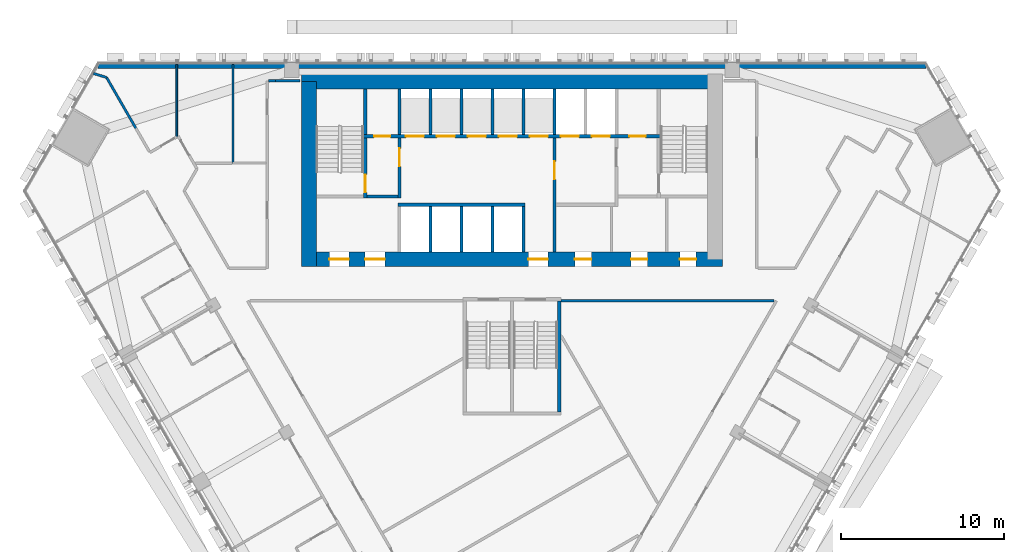
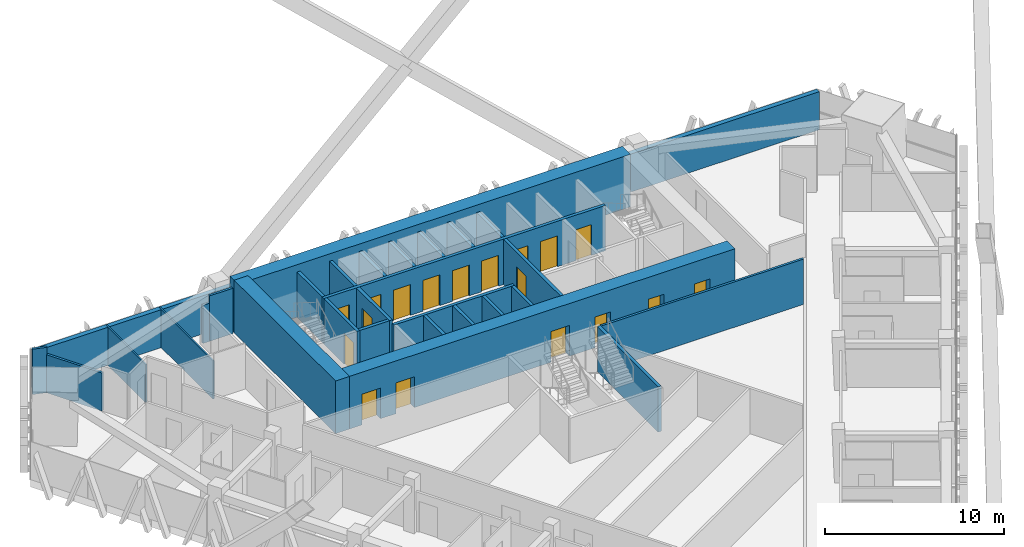
# One storey, part 14 of 19: 29 walls, 18 doors, 18 openings.
"""IFC4 building model written with IfcOpenShell, lengths in metres."""

from ifc_helpers import new_model, si_unit, direction, frame, frame_2d, origin, place, context, subcontext, project, spatial, rectangle, extrude, material, layer, layer_set, type_object, element, fill, save


model = new_model("IFC4")

# Units and contexts
model_context = context("Model", 3, precision=1e-05, world=origin(), true_north=direction((0.0, 1.0)))
body_context = subcontext(model_context, "Body", "Model", "MODEL_VIEW")
ifc_project = project(units=[si_unit("LENGTHUNIT", "METRE"), si_unit("AREAUNIT", "SQUARE_METRE"), si_unit("VOLUMEUNIT", "CUBIC_METRE"), si_unit("PLANEANGLEUNIT", "RADIAN"), si_unit("MASSUNIT", "GRAM", prefix="KILO")], contexts=[model_context])

# Site, building, storey
site_placement = place(None, origin())
site = spatial("IfcSite", under=ifc_project, at=site_placement, CompositionType="ELEMENT")
building_placement = place(site_placement, origin())
building = spatial("IfcBuilding", under=site, at=building_placement, Name="Altiplano Prism Tower", CompositionType="ELEMENT")
storey_placement = place(building_placement, frame((0.0, 0.0, 70.199951171875)))
storey = spatial("IfcBuildingStorey", under=building, at=storey_placement, Name="L17", CompositionType="ELEMENT", Elevation=70.199951171875)

# Wall, openings, doors
ifc_material_1 = material(Name="Concrete C70/85", Category="concrete")
ifc_layer_1 = layer(ifc_material_1, 0.89990234375)
ifc_layer_set_1 = layer_set([ifc_layer_1], Name="Concrete C70/85")
wall_type_1 = type_object("IfcWallType", Name="Core wall 900", PredefinedType="SHEAR", material=ifc_layer_set_1)
wall_1_placement = place(storey_placement, frame((72.550048828125, 92.949951171875, 0.0), z_axis=(0.0, 0.0, 1.0), x_axis=(1.0, 0.0, 0.0)))
wall_1 = element("IfcWall", 1, at=wall_1_placement, inside=storey, type_object=wall_type_1, Name="Core wall S L17", PredefinedType="SHEAR", context=body_context, shape_type="SweptSolid", body=[
    extrude(rectangle(XDim=25.349853515625, YDim=0.89990234375, at=frame_2d((12.6748046875, 0.0))), origin(), (0.0, 0.0, 1.0), 3.60009765625),
])
opening_1_placement = place(wall_1_placement, frame((1.25, 0.0, 0.0)))
opening_1 = element("IfcOpeningElement", 2, at=opening_1_placement, cuts=wall_1, Name="Opening D2819", PredefinedType="OPENING", context=body_context, shape_type="SweptSolid", body=[
    extrude(rectangle(XDim=1.199951171875, YDim=2.10009765625, at=frame_2d((0.60009765625, 1.050048828125))), frame((0.0, 0.46044921875, 0.0), z_axis=(0.0, -1.0, 0.0), x_axis=(1.0, 0.0, 0.0)), (0.0, 0.0, 1.0), 0.9208984375),
])
opening_2_placement = place(wall_1_placement, frame((3.449951171875, 0.0, 0.0)))
opening_2 = element("IfcOpeningElement", 3, at=opening_2_placement, cuts=wall_1, Name="Opening D2820", PredefinedType="OPENING", context=body_context, shape_type="SweptSolid", body=[
    extrude(rectangle(XDim=1.199951171875, YDim=2.10009765625, at=frame_2d((0.60009765625, 1.050048828125))), frame((0.0, 0.46044921875, 0.0), z_axis=(0.0, -1.0, 0.0), x_axis=(1.0, 0.0, 0.0)), (0.0, 0.0, 1.0), 0.9208984375),
])
opening_3_placement = place(wall_1_placement, frame((13.449951171875, 0.0, 0.0)))
opening_3 = element("IfcOpeningElement", 4, at=opening_3_placement, cuts=wall_1, Name="Opening D2821", PredefinedType="OPENING", context=body_context, shape_type="SweptSolid", body=[
    extrude(rectangle(XDim=1.199951171875, YDim=2.10009765625, at=frame_2d((0.60009765625, 1.050048828125))), frame((0.0, 0.46044921875, 0.0), z_axis=(0.0, -1.0, 0.0), x_axis=(1.0, 0.0, 0.0)), (0.0, 0.0, 1.0), 0.9208984375),
])
opening_4_placement = place(wall_1_placement, frame((16.3125, 0.0, 0.0)))
opening_4 = element("IfcOpeningElement", 5, at=opening_4_placement, cuts=wall_1, Name="Opening D2824", PredefinedType="OPENING", context=body_context, shape_type="SweptSolid", body=[
    extrude(rectangle(XDim=1.0, YDim=2.10009765625, at=frame_2d((0.5, 1.050048828125))), frame((0.0, 0.46044921875, 0.0), z_axis=(0.0, -1.0, 0.0), x_axis=(1.0, 0.0, 0.0)), (0.0, 0.0, 1.0), 0.9208984375),
])
opening_5_placement = place(wall_1_placement, frame((19.75, 0.0, 0.0)))
opening_5 = element("IfcOpeningElement", 6, at=opening_5_placement, cuts=wall_1, Name="Opening D2825", PredefinedType="OPENING", context=body_context, shape_type="SweptSolid", body=[
    extrude(rectangle(XDim=1.0, YDim=2.10009765625, at=frame_2d((0.5, 1.050048828125))), frame((0.0, 0.46044921875, 0.0), z_axis=(0.0, -1.0, 0.0), x_axis=(1.0, 0.0, 0.0)), (0.0, 0.0, 1.0), 0.9208984375),
])
opening_6_placement = place(wall_1_placement, frame((22.737548828125, 0.0, 0.0)))
opening_6 = element("IfcOpeningElement", 7, at=opening_6_placement, cuts=wall_1, Name="Opening D2826", PredefinedType="OPENING", context=body_context, shape_type="SweptSolid", body=[
    extrude(rectangle(XDim=1.0, YDim=2.10009765625, at=frame_2d((0.5, 1.050048828125))), frame((0.0, 0.46044921875, 0.0), z_axis=(0.0, -1.0, 0.0), x_axis=(1.0, 0.0, 0.0)), (0.0, 0.0, 1.0), 0.9208984375),
])
ifc_material_2 = material(Name="Fire-rated steel door", Category="steel")
door_type_1 = type_object("IfcDoorType", Name="Core room door 1000 x 2100", OperationType="NOTDEFINED", PredefinedType="NOTDEFINED", material=ifc_material_2)
door_1_placement = place(opening_4_placement, origin())
door_1 = element("IfcDoor", 8, at=door_1_placement, inside=storey, type_object=door_type_1, Name="Core room door D2824", OperationType="SINGLE_SWING_RIGHT", OverallHeight=2.10009765625, OverallWidth=1.0, PredefinedType="NOTDEFINED", context=body_context, shape_type="SweptSolid", body=[
    extrude(rectangle(XDim=1.0, YDim=2.10009765625, at=frame_2d((0.5, 1.050048828125))), frame((0.0, 0.02490234375, 0.0), z_axis=(0.0, -1.0, 0.0), x_axis=(1.0, 0.0, 0.0)), (0.0, 0.0, 1.0), 0.050048828125),
])
fill(opening_4, door_1)
door_2_placement = place(opening_5_placement, origin())
door_2 = element("IfcDoor", 9, at=door_2_placement, inside=storey, type_object=door_type_1, Name="Core room door D2825", OperationType="SINGLE_SWING_LEFT", OverallHeight=2.10009765625, OverallWidth=1.0, PredefinedType="NOTDEFINED", context=body_context, shape_type="SweptSolid", body=[
    extrude(rectangle(XDim=1.0, YDim=2.10009765625, at=frame_2d((0.5, 1.050048828125))), frame((0.0, 0.02490234375, 0.0), z_axis=(0.0, -1.0, 0.0), x_axis=(1.0, 0.0, 0.0)), (0.0, 0.0, 1.0), 0.050048828125),
])
fill(opening_5, door_2)
door_3_placement = place(opening_6_placement, origin())
door_3 = element("IfcDoor", 10, at=door_3_placement, inside=storey, type_object=door_type_1, Name="Core room door D2826", OperationType="SINGLE_SWING_RIGHT", OverallHeight=2.10009765625, OverallWidth=1.0, PredefinedType="NOTDEFINED", context=body_context, shape_type="SweptSolid", body=[
    extrude(rectangle(XDim=1.0, YDim=2.10009765625, at=frame_2d((0.5, 1.050048828125))), frame((0.0, 0.02490234375, 0.0), z_axis=(0.0, -1.0, 0.0), x_axis=(1.0, 0.0, 0.0)), (0.0, 0.0, 1.0), 0.050048828125),
])
fill(opening_6, door_3)
door_type_2 = type_object("IfcDoorType", Name="Lobby fire door 1200 x 2100", OperationType="NOTDEFINED", PredefinedType="NOTDEFINED", material=ifc_material_2)
door_4_placement = place(opening_1_placement, origin())
door_4 = element("IfcDoor", 11, at=door_4_placement, inside=storey, type_object=door_type_2, Name="Lobby fire door D2819", OperationType="SINGLE_SWING_RIGHT", OverallHeight=2.10009765625, OverallWidth=1.199951171875, PredefinedType="NOTDEFINED", context=body_context, shape_type="SweptSolid", body=[
    extrude(rectangle(XDim=1.199951171875, YDim=2.10009765625, at=frame_2d((0.60009765625, 1.050048828125))), frame((0.0, 0.02490234375, 0.0), z_axis=(0.0, -1.0, 0.0), x_axis=(1.0, 0.0, 0.0)), (0.0, 0.0, 1.0), 0.050048828125),
])
fill(opening_1, door_4)
door_5_placement = place(opening_2_placement, origin())
door_5 = element("IfcDoor", 12, at=door_5_placement, inside=storey, type_object=door_type_2, Name="Lobby fire door D2820", OperationType="SINGLE_SWING_LEFT", OverallHeight=2.10009765625, OverallWidth=1.199951171875, PredefinedType="NOTDEFINED", context=body_context, shape_type="SweptSolid", body=[
    extrude(rectangle(XDim=1.199951171875, YDim=2.10009765625, at=frame_2d((0.60009765625, 1.050048828125))), frame((0.0, 0.02490234375, 0.0), z_axis=(0.0, -1.0, 0.0), x_axis=(1.0, 0.0, 0.0)), (0.0, 0.0, 1.0), 0.050048828125),
])
fill(opening_2, door_5)
door_6_placement = place(opening_3_placement, origin())
door_6 = element("IfcDoor", 13, at=door_6_placement, inside=storey, type_object=door_type_2, Name="Lobby fire door D2821", OperationType="SINGLE_SWING_RIGHT", OverallHeight=2.10009765625, OverallWidth=1.199951171875, PredefinedType="NOTDEFINED", context=body_context, shape_type="SweptSolid", body=[
    extrude(rectangle(XDim=1.199951171875, YDim=2.10009765625, at=frame_2d((0.60009765625, 1.050048828125))), frame((0.0, 0.02490234375, 0.0), z_axis=(0.0, -1.0, 0.0), x_axis=(1.0, 0.0, 0.0)), (0.0, 0.0, 1.0), 0.050048828125),
])
fill(opening_3, door_6)

# Walls
wall_2_placement = place(storey_placement, frame((97.449951171875, 103.85009765625, 0.0), z_axis=(0.0, 0.0, 1.0), x_axis=(-1.0, 0.0, 0.0)))
element("IfcWall", 14, at=wall_2_placement, inside=storey, type_object=wall_type_1, Name="Core wall N L17", PredefinedType="SHEAR", context=body_context, shape_type="SweptSolid", body=[
    extrude(rectangle(XDim=25.349853515625, YDim=0.89990234375, at=frame_2d((12.6748046875, 0.0))), origin(), (0.0, 0.0, 1.0), 3.60009765625),
])
wall_3_placement = place(storey_placement, frame((72.550048828125, 103.85009765625, 0.0), z_axis=(0.0, 0.0, 1.0), x_axis=(0.0, -1.0, 0.0)))
element("IfcWall", 15, at=wall_3_placement, inside=storey, type_object=wall_type_1, Name="Core wall W L17", PredefinedType="SHEAR", context=body_context, shape_type="SweptSolid", body=[
    extrude(rectangle(XDim=11.35009765625, YDim=0.89990234375, at=frame_2d((5.675048828125, 0.0))), origin(), (0.0, 0.0, 1.0), 3.60009765625),
])
ifc_material_3 = material(Name="Plasterboard on steel stud", Category="steel")
ifc_layer_2 = layer(ifc_material_3, 0.10009765625)
ifc_layer_set_2 = layer_set([ifc_layer_2], Name="Plasterboard on steel stud")
wall_type_2 = type_object("IfcWallType", Name="Partition 100 wet", PredefinedType="PARTITIONING", material=ifc_layer_set_2)
wall_4_placement = place(storey_placement, frame((67.892578125, 104.89990234375, 0.0), z_axis=(0.0, 0.0, 1.0), x_axis=(0.0, -1.0, 0.0)))
element("IfcWall", 16, at=wall_4_placement, inside=storey, type_object=wall_type_2, Name="Partition P03 L17 031", PredefinedType="PARTITIONING", context=body_context, shape_type="SweptSolid", body=[
    extrude(rectangle(XDim=6.04443359375, YDim=0.10009765625, at=frame_2d((3.022216796875, 0.0))), origin(), (0.0, 0.0, 1.0), 2.60009765625),
])
wall_5_placement = place(storey_placement, frame((64.446533203125, 100.45263671875, 0.0), z_axis=(0.0, 0.0, 1.0), x_axis=(0.0, 1.0, 0.0)))
element("IfcWall", 17, at=wall_5_placement, inside=storey, type_object=wall_type_2, Name="Partition P03 L17 033", PredefinedType="PARTITIONING", context=body_context, shape_type="SweptSolid", body=[
    extrude(rectangle(XDim=4.447265625, YDim=0.10009765625, at=frame_2d((2.2236328125, 0.0))), origin(), (0.0, 0.0, 1.0), 2.60009765625),
])
ifc_layer_3 = layer(ifc_material_3, 0.14990234375)
ifc_layer_set_3 = layer_set([ifc_layer_3], Name="Plasterboard on steel stud")
wall_type_3 = type_object("IfcWallType", Name="Partition 150 corridor", PredefinedType="PARTITIONING", material=ifc_layer_set_3)
wall_6_placement = place(storey_placement, frame((72.0, 103.89990234375, 0.0), z_axis=(0.0, 0.0, 1.0), x_axis=(-1.0, 0.0, 0.0)))
element("IfcWall", 18, at=wall_6_placement, inside=storey, type_object=wall_type_3, Name="Partition P06 L17 001", PredefinedType="PARTITIONING", context=body_context, shape_type="SweptSolid", body=[
    extrude(rectangle(XDim=1.490966796875, YDim=0.14990234375, at=frame_2d((0.74560546875, 0.0))), origin(), (0.0, 0.0, 1.0), 3.10009765625),
])
wall_7_placement = place(storey_placement, frame((70.509033203125, 103.89990234375, 0.0), z_axis=(0.0, 0.0, 1.0), x_axis=(-1.0, 0.0, 0.0)))
element("IfcWall", 19, at=wall_7_placement, inside=storey, type_object=wall_type_3, Name="Partition P06 L17 002", PredefinedType="PARTITIONING", context=body_context, shape_type="SweptSolid", body=[
    extrude(rectangle(XDim=0.43408203125, YDim=0.14990234375, at=frame_2d((0.217041015625, 0.0))), origin(), (0.0, 0.0, 1.0), 2.60009765625),
])
wall_8_placement = place(storey_placement, frame((88.0, 90.39990234375, 0.0), z_axis=(0.0, 0.0, 1.0), x_axis=(1.0, 0.0, 0.0)))
element("IfcWall", 20, at=wall_8_placement, inside=storey, type_object=wall_type_3, Name="Partition P06 L17 014", PredefinedType="PARTITIONING", context=body_context, shape_type="SweptSolid", body=[
    extrude(rectangle(XDim=13.0791015625, YDim=0.14990234375, at=frame_2d((6.53955078125, 0.0))), origin(), (0.0, 0.0, 1.0), 3.10009765625),
])
wall_9_placement = place(storey_placement, frame((59.338623046875, 104.34912109375, 0.0), z_axis=(0.0, 0.0, 1.0), x_axis=(0.955225394117, -0.295879107804, 0.0)))
element("IfcWall", 21, at=wall_9_placement, inside=storey, type_object=wall_type_3, Name="Partition P06 L17 034", PredefinedType="PARTITIONING", context=body_context, shape_type="SweptSolid", body=[
    extrude(rectangle(XDim=0.841552734375, YDim=0.14990234375, at=frame_2d((0.4208984375, 0.0))), origin(), (0.0, 0.0, 1.0), 3.10009765625),
])
wall_10_placement = place(storey_placement, frame((60.142578125, 104.10009765625, 0.0), z_axis=(0.0, 0.0, 1.0), x_axis=(0.499999409447, -0.86602574474, 0.0)))
element("IfcWall", 22, at=wall_10_placement, inside=storey, type_object=wall_type_3, Name="Partition P06 L17 035", PredefinedType="PARTITIONING", context=body_context, shape_type="SweptSolid", body=[
    extrude(rectangle(XDim=3.61181640625, YDim=0.14990234375, at=frame_2d((1.805908203125, 0.0))), origin(), (0.0, 0.0, 1.0), 2.60009765625),
])
ifc_material_4 = material(Name="Concrete C60/75", Category="concrete")
ifc_layer_4 = layer(ifc_material_4, 0.199951171875)
ifc_layer_set_4 = layer_set([ifc_layer_4], Name="Concrete C60/75")
wall_type_4 = type_object("IfcWallType", Name="Shaft wall 200", PredefinedType="SOLIDWALL", material=ifc_layer_set_4)
for number, where, z_axis, x_axis, name in (
    (23, (80.0, 93.39990234375, 0.0), (0.0, 0.0, 1.0), (0.0, 1.0, 0.0), "Shaft wall L17"),
    (24, (81.89990234375, 93.39990234375, 0.0), (0.0, 0.0, 1.0), (0.0, 1.0, 0.0), "Shaft wall L17"),
    (25, (83.800048828125, 93.39990234375, 0.0), (0.0, 0.0, 1.0), (0.0, 1.0, 0.0), "Shaft wall L17"),
    (26, (85.699951171875, 93.39990234375, 0.0), (0.0, 0.0, 1.0), (0.0, 1.0, 0.0), "Shaft wall L17"),
):
    element("IfcWall", number, at=place(storey_placement, frame(where, z_axis=z_axis, x_axis=x_axis)), inside=storey, type_object=wall_type_4, Name=name, PredefinedType="SOLIDWALL", context=body_context, shape_type="SweptSolid", body=[
        extrude(rectangle(XDim=2.800048828125, YDim=0.199951171875, at=frame_2d((1.39990234375, 0.0))), origin(), (0.0, 0.0, 1.0), 3.10009765625),
    ])
wall_11_placement = place(storey_placement, frame((78.0, 96.300048828125, 0.0), z_axis=(0.0, 0.0, 1.0), x_axis=(1.0, 0.0, 0.0)))
element("IfcWall", 27, at=wall_11_placement, inside=storey, type_object=wall_type_4, Name="Shaft wall L17", PredefinedType="SOLIDWALL", context=body_context, shape_type="SweptSolid", body=[
    extrude(rectangle(XDim=7.800048828125, YDim=0.199951171875, at=frame_2d((3.89990234375, 0.0))), origin(), (0.0, 0.0, 1.0), 3.10009765625),
])
for number, where, z_axis, x_axis, name in (
    (28, (78.10009765625, 100.60009765625, 0.0), (0.0, 0.0, 1.0), (0.0, 1.0, 0.0), "Shaft wall L17"),
    (29, (80.0, 100.60009765625, 0.0), (0.0, 0.0, 1.0), (0.0, 1.0, 0.0), "Shaft wall L17"),
    (30, (81.89990234375, 100.60009765625, 0.0), (0.0, 0.0, 1.0), (0.0, 1.0, 0.0), "Shaft wall L17"),
    (31, (83.800048828125, 100.60009765625, 0.0), (0.0, 0.0, 1.0), (0.0, 1.0, 0.0), "Shaft wall L17"),
    (32, (85.699951171875, 100.60009765625, 0.0), (0.0, 0.0, 1.0), (0.0, 1.0, 0.0), "Shaft wall L17"),
    (33, (87.60009765625, 100.60009765625, 0.0), (0.0, 0.0, 1.0), (0.0, 1.0, 0.0), "Shaft wall L17"),
):
    element("IfcWall", number, at=place(storey_placement, frame(where, z_axis=z_axis, x_axis=x_axis)), inside=storey, type_object=wall_type_4, Name=name, PredefinedType="SOLIDWALL", context=body_context, shape_type="SweptSolid", body=[
        extrude(rectangle(XDim=2.7998046875, YDim=0.199951171875, at=frame_2d((1.39990234375, 0.0))), origin(), (0.0, 0.0, 1.0), 3.10009765625),
    ])

# Wall, opening, door
ifc_layer_5 = layer(ifc_material_4, 0.199951171875)
ifc_layer_set_5 = layer_set([ifc_layer_5], Name="Concrete C60/75")
wall_type_5 = type_object("IfcWallType", Name="Stair wall 200", PredefinedType="SOLIDWALL", material=ifc_layer_set_5)
wall_12_placement = place(storey_placement, frame((76.0, 96.699951171875, 0.0), z_axis=(0.0, 0.0, 1.0), x_axis=(0.0, 1.0, 0.0)))
wall_12 = element("IfcWall", 34, at=wall_12_placement, inside=storey, type_object=wall_type_5, Name="Stair wall L17", PredefinedType="SOLIDWALL", context=body_context, shape_type="SweptSolid", body=[
    extrude(rectangle(XDim=3.699951171875, YDim=0.199951171875, at=frame_2d((1.85009765625, 0.0))), origin(), (0.0, 0.0, 1.0), 3.10009765625),
])
opening_7_placement = place(wall_12_placement, frame((0.35009765625, 0.0, 0.0)))
opening_7 = element("IfcOpeningElement", 35, at=opening_7_placement, cuts=wall_12, Name="Opening D2814", PredefinedType="OPENING", context=body_context, shape_type="SweptSolid", body=[
    extrude(rectangle(XDim=1.10009765625, YDim=2.10009765625, at=frame_2d((0.550048828125, 1.050048828125))), frame((0.0, 0.1103515625, 0.0), z_axis=(0.0, -1.0, 0.0), x_axis=(1.0, 0.0, 0.0)), (0.0, 0.0, 1.0), 0.220947265625),
])
door_type_3 = type_object("IfcDoorType", Name="Stair fire door 1100 x 2100", OperationType="NOTDEFINED", PredefinedType="NOTDEFINED", material=ifc_material_2)
door_7_placement = place(opening_7_placement, origin())
door_7 = element("IfcDoor", 36, at=door_7_placement, inside=storey, type_object=door_type_3, Name="Stair fire door D2814", OperationType="SINGLE_SWING_RIGHT", OverallHeight=2.10009765625, OverallWidth=1.10009765625, PredefinedType="NOTDEFINED", context=body_context, shape_type="SweptSolid", body=[
    extrude(rectangle(XDim=1.10009765625, YDim=2.10009765625, at=frame_2d((0.550048828125, 1.050048828125))), frame((0.0, 0.02490234375, 0.0), z_axis=(0.0, -1.0, 0.0), x_axis=(1.0, 0.0, 0.0)), (0.0, 0.0, 1.0), 0.050048828125),
])
fill(opening_7, door_7)

# Wall, openings, doors
wall_13_placement = place(storey_placement, frame((75.89990234375, 100.5, 0.0), z_axis=(0.0, 0.0, 1.0), x_axis=(1.0, 0.0, 0.0)))
wall_13 = element("IfcWall", 37, at=wall_13_placement, inside=storey, type_object=wall_type_5, Name="Stair wall L17", PredefinedType="SOLIDWALL", context=body_context, shape_type="SweptSolid", body=[
    extrude(rectangle(XDim=18.2001953125, YDim=0.199951171875, at=frame_2d((9.10009765625, 0.0))), origin(), (0.0, 0.0, 1.0), 3.10009765625),
])
opening_8_placement = place(wall_13_placement, frame((2.60009765625, 0.0, 0.0)))
opening_8 = element("IfcOpeningElement", 38, at=opening_8_placement, cuts=wall_13, Name="Opening LD-LL1-L17", PredefinedType="OPENING", context=body_context, shape_type="SweptSolid", body=[
    extrude(rectangle(XDim=1.10009765625, YDim=2.10009765625, at=frame_2d((0.550048828125, 1.050048828125))), frame((0.0, 0.1103515625, 0.0), z_axis=(0.0, -1.0, 0.0), x_axis=(1.0, 0.0, 0.0)), (0.0, 0.0, 1.0), 0.220947265625),
])
opening_9_placement = place(wall_13_placement, frame((4.5, 0.0, 0.0)))
opening_9 = element("IfcOpeningElement", 39, at=opening_9_placement, cuts=wall_13, Name="Opening LD-LL2-L17", PredefinedType="OPENING", context=body_context, shape_type="SweptSolid", body=[
    extrude(rectangle(XDim=1.10009765625, YDim=2.10009765625, at=frame_2d((0.550048828125, 1.050048828125))), frame((0.0, 0.1103515625, 0.0), z_axis=(0.0, -1.0, 0.0), x_axis=(1.0, 0.0, 0.0)), (0.0, 0.0, 1.0), 0.220947265625),
])
opening_10_placement = place(wall_13_placement, frame((6.39990234375, 0.0, 0.0)))
opening_10 = element("IfcOpeningElement", 40, at=opening_10_placement, cuts=wall_13, Name="Opening LD-LL3-L17", PredefinedType="OPENING", context=body_context, shape_type="SweptSolid", body=[
    extrude(rectangle(XDim=1.10009765625, YDim=2.10009765625, at=frame_2d((0.550048828125, 1.050048828125))), frame((0.0, 0.1103515625, 0.0), z_axis=(0.0, -1.0, 0.0), x_axis=(1.0, 0.0, 0.0)), (0.0, 0.0, 1.0), 0.220947265625),
])
opening_11_placement = place(wall_13_placement, frame((8.300048828125, 0.0, 0.0)))
opening_11 = element("IfcOpeningElement", 41, at=opening_11_placement, cuts=wall_13, Name="Opening LD-LL4-L17", PredefinedType="OPENING", context=body_context, shape_type="SweptSolid", body=[
    extrude(rectangle(XDim=1.10009765625, YDim=2.10009765625, at=frame_2d((0.550048828125, 1.050048828125))), frame((0.0, 0.1103515625, 0.0), z_axis=(0.0, -1.0, 0.0), x_axis=(1.0, 0.0, 0.0)), (0.0, 0.0, 1.0), 0.220947265625),
])
opening_12_placement = place(wall_13_placement, frame((10.199951171875, 0.0, 0.0)))
opening_12 = element("IfcOpeningElement", 42, at=opening_12_placement, cuts=wall_13, Name="Opening LD-LL5-L17", PredefinedType="OPENING", context=body_context, shape_type="SweptSolid", body=[
    extrude(rectangle(XDim=1.10009765625, YDim=2.10009765625, at=frame_2d((0.550048828125, 1.050048828125))), frame((0.0, 0.1103515625, 0.0), z_axis=(0.0, -1.0, 0.0), x_axis=(1.0, 0.0, 0.0)), (0.0, 0.0, 1.0), 0.220947265625),
])
opening_13_placement = place(wall_13_placement, frame((12.10009765625, 0.0, 0.0)))
opening_13 = element("IfcOpeningElement", 43, at=opening_13_placement, cuts=wall_13, Name="Opening LD-FF1-L17", PredefinedType="OPENING", context=body_context, shape_type="SweptSolid", body=[
    extrude(rectangle(XDim=1.10009765625, YDim=2.10009765625, at=frame_2d((0.550048828125, 1.050048828125))), frame((0.0, 0.1103515625, 0.0), z_axis=(0.0, -1.0, 0.0), x_axis=(1.0, 0.0, 0.0)), (0.0, 0.0, 1.0), 0.220947265625),
])
opening_14_placement = place(wall_13_placement, frame((14.0, 0.0, 0.0)))
opening_14 = element("IfcOpeningElement", 44, at=opening_14_placement, cuts=wall_13, Name="Opening LD-FF2-L17", PredefinedType="OPENING", context=body_context, shape_type="SweptSolid", body=[
    extrude(rectangle(XDim=1.10009765625, YDim=2.10009765625, at=frame_2d((0.550048828125, 1.050048828125))), frame((0.0, 0.1103515625, 0.0), z_axis=(0.0, -1.0, 0.0), x_axis=(1.0, 0.0, 0.0)), (0.0, 0.0, 1.0), 0.220947265625),
])
opening_15_placement = place(wall_13_placement, frame((0.64990234375, 0.0, 0.0)))
opening_15 = element("IfcOpeningElement", 45, at=opening_15_placement, cuts=wall_13, Name="Opening D2822", PredefinedType="OPENING", context=body_context, shape_type="SweptSolid", body=[
    extrude(rectangle(XDim=1.0, YDim=2.10009765625, at=frame_2d((0.5, 1.050048828125))), frame((0.0, 0.1103515625, 0.0), z_axis=(0.0, -1.0, 0.0), x_axis=(1.0, 0.0, 0.0)), (0.0, 0.0, 1.0), 0.220947265625),
])
opening_16_placement = place(wall_13_placement, frame((16.300048828125, 0.0, 0.0)))
opening_16 = element("IfcOpeningElement", 46, at=opening_16_placement, cuts=wall_13, Name="Opening D2823", PredefinedType="OPENING", context=body_context, shape_type="SweptSolid", body=[
    extrude(rectangle(XDim=1.0, YDim=2.10009765625, at=frame_2d((0.5, 1.050048828125))), frame((0.0, 0.1103515625, 0.0), z_axis=(0.0, -1.0, 0.0), x_axis=(1.0, 0.0, 0.0)), (0.0, 0.0, 1.0), 0.220947265625),
])
door_8_placement = place(opening_15_placement, origin())
door_8 = element("IfcDoor", 47, at=door_8_placement, inside=storey, type_object=door_type_1, Name="Core room door D2822", OperationType="SINGLE_SWING_LEFT", OverallHeight=2.10009765625, OverallWidth=1.0, PredefinedType="NOTDEFINED", context=body_context, shape_type="SweptSolid", body=[
    extrude(rectangle(XDim=1.0, YDim=2.10009765625, at=frame_2d((0.5, 1.050048828125))), frame((0.0, 0.02490234375, 0.0), z_axis=(0.0, -1.0, 0.0), x_axis=(1.0, 0.0, 0.0)), (0.0, 0.0, 1.0), 0.050048828125),
])
fill(opening_15, door_8)
door_9_placement = place(opening_16_placement, origin())
door_9 = element("IfcDoor", 48, at=door_9_placement, inside=storey, type_object=door_type_1, Name="Core room door D2823", OperationType="SINGLE_SWING_RIGHT", OverallHeight=2.10009765625, OverallWidth=1.0, PredefinedType="NOTDEFINED", context=body_context, shape_type="SweptSolid", body=[
    extrude(rectangle(XDim=1.0, YDim=2.10009765625, at=frame_2d((0.5, 1.050048828125))), frame((0.0, 0.02490234375, 0.0), z_axis=(0.0, -1.0, 0.0), x_axis=(1.0, 0.0, 0.0)), (0.0, 0.0, 1.0), 0.050048828125),
])
fill(opening_16, door_9)
ifc_material_5 = material(Name="Stainless steel landing door", Category="steel")
door_type_4 = type_object("IfcDoorType", Name="Landing door 1100 x 2100", OperationType="NOTDEFINED", PredefinedType="NOTDEFINED", material=ifc_material_5)
door_10_placement = place(opening_8_placement, origin())
door_10 = element("IfcDoor", 49, at=door_10_placement, inside=storey, type_object=door_type_4, Name="Landing doors LL1", OperationType="SLIDING_TO_RIGHT", OverallHeight=2.10009765625, OverallWidth=1.10009765625, PredefinedType="NOTDEFINED", context=body_context, shape_type="SweptSolid", body=[
    extrude(rectangle(XDim=1.10009765625, YDim=2.10009765625, at=frame_2d((0.550048828125, 1.050048828125))), frame((0.0, 0.02490234375, 0.0), z_axis=(0.0, -1.0, 0.0), x_axis=(1.0, 0.0, 0.0)), (0.0, 0.0, 1.0), 0.050048828125),
])
fill(opening_8, door_10)
door_11_placement = place(opening_9_placement, origin())
door_11 = element("IfcDoor", 50, at=door_11_placement, inside=storey, type_object=door_type_4, Name="Landing doors LL2", OperationType="SLIDING_TO_LEFT", OverallHeight=2.10009765625, OverallWidth=1.10009765625, PredefinedType="NOTDEFINED", context=body_context, shape_type="SweptSolid", body=[
    extrude(rectangle(XDim=1.10009765625, YDim=2.10009765625, at=frame_2d((0.550048828125, 1.050048828125))), frame((0.0, 0.02490234375, 0.0), z_axis=(0.0, -1.0, 0.0), x_axis=(1.0, 0.0, 0.0)), (0.0, 0.0, 1.0), 0.050048828125),
])
fill(opening_9, door_11)
door_12_placement = place(opening_10_placement, origin())
door_12 = element("IfcDoor", 51, at=door_12_placement, inside=storey, type_object=door_type_4, Name="Landing doors LL3", OperationType="SLIDING_TO_RIGHT", OverallHeight=2.10009765625, OverallWidth=1.10009765625, PredefinedType="NOTDEFINED", context=body_context, shape_type="SweptSolid", body=[
    extrude(rectangle(XDim=1.10009765625, YDim=2.10009765625, at=frame_2d((0.550048828125, 1.050048828125))), frame((0.0, 0.02490234375, 0.0), z_axis=(0.0, -1.0, 0.0), x_axis=(1.0, 0.0, 0.0)), (0.0, 0.0, 1.0), 0.050048828125),
])
fill(opening_10, door_12)
door_13_placement = place(opening_11_placement, origin())
door_13 = element("IfcDoor", 52, at=door_13_placement, inside=storey, type_object=door_type_4, Name="Landing doors LL4", OperationType="SLIDING_TO_LEFT", OverallHeight=2.10009765625, OverallWidth=1.10009765625, PredefinedType="NOTDEFINED", context=body_context, shape_type="SweptSolid", body=[
    extrude(rectangle(XDim=1.10009765625, YDim=2.10009765625, at=frame_2d((0.550048828125, 1.050048828125))), frame((0.0, 0.02490234375, 0.0), z_axis=(0.0, -1.0, 0.0), x_axis=(1.0, 0.0, 0.0)), (0.0, 0.0, 1.0), 0.050048828125),
])
fill(opening_11, door_13)
door_14_placement = place(opening_12_placement, origin())
door_14 = element("IfcDoor", 53, at=door_14_placement, inside=storey, type_object=door_type_4, Name="Landing doors LL5", OperationType="SLIDING_TO_RIGHT", OverallHeight=2.10009765625, OverallWidth=1.10009765625, PredefinedType="NOTDEFINED", context=body_context, shape_type="SweptSolid", body=[
    extrude(rectangle(XDim=1.10009765625, YDim=2.10009765625, at=frame_2d((0.550048828125, 1.050048828125))), frame((0.0, 0.02490234375, 0.0), z_axis=(0.0, -1.0, 0.0), x_axis=(1.0, 0.0, 0.0)), (0.0, 0.0, 1.0), 0.050048828125),
])
fill(opening_12, door_14)
door_15_placement = place(opening_13_placement, origin())
door_15 = element("IfcDoor", 54, at=door_15_placement, inside=storey, type_object=door_type_4, Name="Landing doors FF1", OperationType="SLIDING_TO_RIGHT", OverallHeight=2.10009765625, OverallWidth=1.10009765625, PredefinedType="NOTDEFINED", context=body_context, shape_type="SweptSolid", body=[
    extrude(rectangle(XDim=1.10009765625, YDim=2.10009765625, at=frame_2d((0.550048828125, 1.050048828125))), frame((0.0, 0.02490234375, 0.0), z_axis=(0.0, -1.0, 0.0), x_axis=(1.0, 0.0, 0.0)), (0.0, 0.0, 1.0), 0.050048828125),
])
fill(opening_13, door_15)
door_16_placement = place(opening_14_placement, origin())
door_16 = element("IfcDoor", 55, at=door_16_placement, inside=storey, type_object=door_type_4, Name="Landing doors FF2", OperationType="SLIDING_TO_LEFT", OverallHeight=2.10009765625, OverallWidth=1.10009765625, PredefinedType="NOTDEFINED", context=body_context, shape_type="SweptSolid", body=[
    extrude(rectangle(XDim=1.10009765625, YDim=2.10009765625, at=frame_2d((0.550048828125, 1.050048828125))), frame((0.0, 0.02490234375, 0.0), z_axis=(0.0, -1.0, 0.0), x_axis=(1.0, 0.0, 0.0)), (0.0, 0.0, 1.0), 0.050048828125),
])
fill(opening_14, door_16)

# Walls
wall_14_placement = place(storey_placement, frame((76.0, 100.60009765625, 0.0), z_axis=(0.0, 0.0, 1.0), x_axis=(0.0, 1.0, 0.0)))
element("IfcWall", 56, at=wall_14_placement, inside=storey, type_object=wall_type_5, Name="Stair wall L17", PredefinedType="SOLIDWALL", context=body_context, shape_type="SweptSolid", body=[
    extrude(rectangle(XDim=2.7998046875, YDim=0.199951171875, at=frame_2d((1.39990234375, 0.0))), origin(), (0.0, 0.0, 1.0), 3.10009765625),
])
wall_15_placement = place(storey_placement, frame((87.89990234375, 83.60009765625, 0.0), z_axis=(0.0, 0.0, 1.0), x_axis=(0.0, 1.0, 0.0)))
element("IfcWall", 57, at=wall_15_placement, inside=storey, type_object=wall_type_5, Name="Stair 3 wall east L17", PredefinedType="SOLIDWALL", context=body_context, shape_type="SweptSolid", body=[
    extrude(rectangle(XDim=6.7998046875, YDim=0.199951171875, at=frame_2d((3.39990234375, 0.0))), origin(), (0.0, 0.0, 1.0), 3.10009765625),
])
ifc_material_6 = material(Name="Concrete C40", Category="concrete")
ifc_layer_6 = layer(ifc_material_6, 0.300048828125)
ifc_layer_set_6 = layer_set([ifc_layer_6], Name="Concrete C40")
wall_type_6 = type_object("IfcWallType", Name="Stone-clad external wall 300", PredefinedType="SOLIDWALL", material=ifc_layer_set_6)
wall_16_placement = place(storey_placement, frame((59.623046875, 104.7900390625, 0.0), z_axis=(0.0, 0.0, 1.0), x_axis=(1.0, 0.0, 0.0)))
element("IfcWall", 58, at=wall_16_placement, inside=storey, type_object=wall_type_6, Name="External wall north face L17", PredefinedType="SOLIDWALL", context=body_context, shape_type="SweptSolid", body=[
    extrude(rectangle(XDim=50.75390625, YDim=0.300048828125, at=frame_2d((25.376953125, 0.0))), origin(), (0.0, 0.0, 1.0), 2.60009765625),
])

# Wall, opening, door
ifc_layer_7 = layer(ifc_material_4, 0.199951171875)
ifc_layer_set_7 = layer_set([ifc_layer_7], Name="Concrete C60/75")
wall_type_7 = type_object("IfcWallType", Name="Vestibule wall 200", PredefinedType="PARTITIONING", material=ifc_layer_set_7)
wall_17_placement = place(storey_placement, frame((87.60009765625, 93.39990234375, 0.0), z_axis=(0.0, 0.0, 1.0), x_axis=(0.0, 1.0, 0.0)))
wall_17 = element("IfcWall", 59, at=wall_17_placement, inside=storey, type_object=wall_type_7, Name="Vestibule wall L17", PredefinedType="PARTITIONING", context=body_context, shape_type="SweptSolid", body=[
    extrude(rectangle(XDim=7.0, YDim=0.199951171875, at=frame_2d((3.5, 0.0))), origin(), (0.0, 0.0, 1.0), 3.10009765625),
])
opening_17_placement = place(wall_17_placement, frame((4.449951171875, 0.0, 0.0)))
opening_17 = element("IfcOpeningElement", 60, at=opening_17_placement, cuts=wall_17, Name="Opening D2817", PredefinedType="OPENING", context=body_context, shape_type="SweptSolid", body=[
    extrude(rectangle(XDim=1.10009765625, YDim=2.10009765625, at=frame_2d((0.550048828125, 1.050048828125))), frame((0.0, 0.1103515625, 0.0), z_axis=(0.0, -1.0, 0.0), x_axis=(1.0, 0.0, 0.0)), (0.0, 0.0, 1.0), 0.220947265625),
])
door_type_5 = type_object("IfcDoorType", Name="Vestibule fire door 1100 x 2100", OperationType="NOTDEFINED", PredefinedType="NOTDEFINED", material=ifc_material_2)
door_17_placement = place(opening_17_placement, origin())
door_17 = element("IfcDoor", 61, at=door_17_placement, inside=storey, type_object=door_type_5, Name="Vestibule fire door D2817", OperationType="SINGLE_SWING_RIGHT", OverallHeight=2.10009765625, OverallWidth=1.10009765625, PredefinedType="NOTDEFINED", context=body_context, shape_type="SweptSolid", body=[
    extrude(rectangle(XDim=1.10009765625, YDim=2.10009765625, at=frame_2d((0.550048828125, 1.050048828125))), frame((0.0, 0.02490234375, 0.0), z_axis=(0.0, -1.0, 0.0), x_axis=(1.0, 0.0, 0.0)), (0.0, 0.0, 1.0), 0.050048828125),
])
fill(opening_17, door_17)

# Wall
wall_18_placement = place(storey_placement, frame((76.10009765625, 96.800048828125, 0.0), z_axis=(0.0, 0.0, 1.0), x_axis=(1.0, 0.0, 0.0)))
element("IfcWall", 62, at=wall_18_placement, inside=storey, type_object=wall_type_7, Name="Vestibule wall L17", PredefinedType="PARTITIONING", context=body_context, shape_type="SweptSolid", body=[
    extrude(rectangle(XDim=1.89990234375, YDim=0.199951171875, at=frame_2d((0.949951171875, 0.0))), origin(), (0.0, 0.0, 1.0), 3.10009765625),
])

# Wall, opening, door
wall_19_placement = place(storey_placement, frame((78.10009765625, 96.699951171875, 0.0), z_axis=(0.0, 0.0, 1.0), x_axis=(0.0, 1.0, 0.0)))
wall_19 = element("IfcWall", 63, at=wall_19_placement, inside=storey, type_object=wall_type_7, Name="Vestibule wall L17", PredefinedType="PARTITIONING", context=body_context, shape_type="SweptSolid", body=[
    extrude(rectangle(XDim=3.699951171875, YDim=0.199951171875, at=frame_2d((1.85009765625, 0.0))), origin(), (0.0, 0.0, 1.0), 3.10009765625),
])
opening_18_placement = place(wall_19_placement, frame((1.949951171875, 0.0, 0.0)))
opening_18 = element("IfcOpeningElement", 64, at=opening_18_placement, cuts=wall_19, Name="Opening D2816", PredefinedType="OPENING", context=body_context, shape_type="SweptSolid", body=[
    extrude(rectangle(XDim=1.10009765625, YDim=2.10009765625, at=frame_2d((0.550048828125, 1.050048828125))), frame((0.0, 0.1103515625, 0.0), z_axis=(0.0, -1.0, 0.0), x_axis=(1.0, 0.0, 0.0)), (0.0, 0.0, 1.0), 0.220947265625),
])
door_18_placement = place(opening_18_placement, origin())
door_18 = element("IfcDoor", 65, at=door_18_placement, inside=storey, type_object=door_type_5, Name="Vestibule fire door D2816", OperationType="SINGLE_SWING_LEFT", OverallHeight=2.10009765625, OverallWidth=1.10009765625, PredefinedType="NOTDEFINED", context=body_context, shape_type="SweptSolid", body=[
    extrude(rectangle(XDim=1.10009765625, YDim=2.10009765625, at=frame_2d((0.550048828125, 1.050048828125))), frame((0.0, 0.02490234375, 0.0), z_axis=(0.0, -1.0, 0.0), x_axis=(1.0, 0.0, 0.0)), (0.0, 0.0, 1.0), 0.050048828125),
])
fill(opening_18, door_18)

save(model, "model.ifc")
